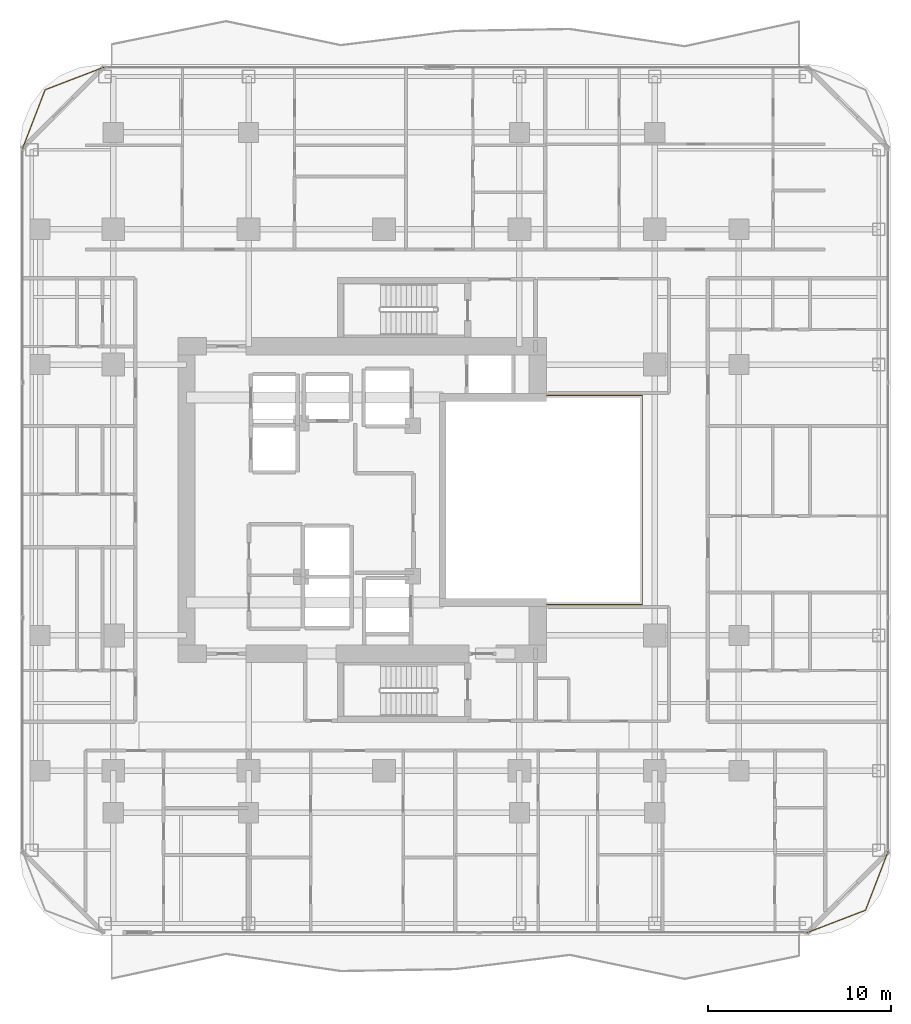
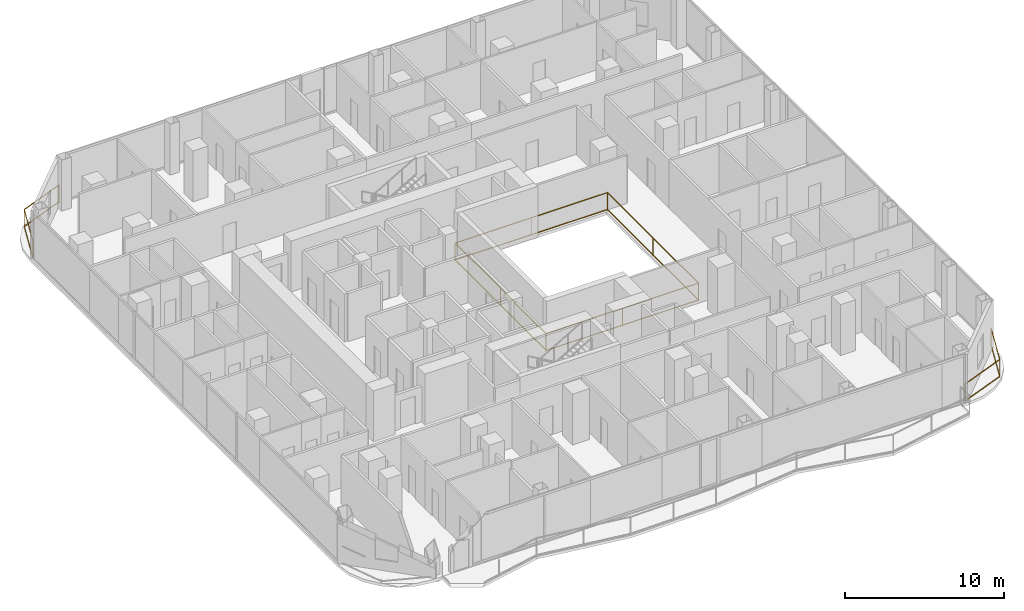
# One storey, part 28 of 29: 3 railings.
"""IFC4 building model written with IfcOpenShell, lengths in metres."""

import ifcopenshell
import ifcopenshell.guid

model = None  # the IFC model being written
_history = None  # IfcOwnerHistory: only IFC2X3 demands one
_inside = {}  # id of a spatial element -> (the spatial element, [elements in it])
_under = {}  # id of a project, library or spatial element -> (it, [spatial elements below it])
_declared = {}  # id of a project -> (the project, [libraries it declares])
_typed = {}  # id of a type object -> (the type object, [elements of that type])
_made_of = {}  # id of a material, layer set ... -> (it, [elements and type objects made of it])


def new_model(schema):
    """Start an empty IFC model of exactly this schema.

    Asked for "IFC4X3", IfcOpenShell would pick the latest addendum, in which some entities
    have other attributes; the version numbers below select the first issue.
    IFC2X3 requires an IfcOwnerHistory on every rooted entity: one is made here for all.
    """
    global model, _history
    if schema == "IFC4X3":
        model = ifcopenshell.file(schema_version=(4, 3, 0, 0))
    else:
        model = ifcopenshell.file(schema=schema)
    _inside.clear()
    _under.clear()
    _declared.clear()
    _typed.clear()
    _made_of.clear()
    _history = None
    if model.schema == "IFC2X3":
        org = make("IfcOrganization", Name="unknown")
        user = make(
            "IfcPersonAndOrganization",
            ThePerson=make("IfcPerson", FamilyName="unknown"),
            TheOrganization=org,
        )
        app = make(
            "IfcApplication",
            ApplicationDeveloper=org,
            Version="unknown",
            ApplicationFullName="unknown",
            ApplicationIdentifier="unknown",
        )
        _history = make(
            "IfcOwnerHistory",
            OwningUser=user,
            OwningApplication=app,
            ChangeAction="ADDED",
            CreationDate=0,
        )
    return model


def make(cls, **values):
    """One entity of the class cls with the attributes given. An attribute that is None is left unset."""
    return model.create_entity(
        cls, **{name: value for name, value in values.items() if value is not None}
    )


def rooted(cls, **values):
    """An entity with a GlobalId (a new one), such as an element, a storey or a relation."""
    return make(cls, GlobalId=ifcopenshell.guid.new(), OwnerHistory=_history, **values)


def si_unit(unit_type, name, prefix=None):
    """IfcSIUnit, for example si_unit("LENGTHUNIT", "METRE", prefix="MILLI")."""
    return make("IfcSIUnit", UnitType=unit_type, Prefix=prefix, Name=name)


def assignment(units):
    """IfcUnitAssignment: the units of a project."""
    return None if units is None else make("IfcUnitAssignment", Units=units)


def point(xyz):
    """IfcCartesianPoint."""
    return None if xyz is None else make("IfcCartesianPoint", Coordinates=xyz)


def direction(xyz):
    """IfcDirection."""
    return None if xyz is None else make("IfcDirection", DirectionRatios=xyz)


def frame(location, z_axis=None, x_axis=None):
    """IfcAxis2Placement3D, a coordinate frame: its origin and axes. An axis left out is left unset."""
    return make(
        "IfcAxis2Placement3D",
        Location=point(location),
        Axis=direction(z_axis),
        RefDirection=direction(x_axis),
    )


def frame_2d(location, x_axis=None):
    """IfcAxis2Placement2D, a coordinate frame in the plane: its origin and x axis."""
    return make(
        "IfcAxis2Placement2D", Location=point(location), RefDirection=direction(x_axis)
    )


def origin():
    """The frame at (0, 0, 0) with its axes left unset."""
    return frame((0.0, 0.0, 0.0))


def origin_2d():
    """The frame at (0, 0) in the plane with its x axis left unset."""
    return frame_2d((0.0, 0.0))


def place(relative_to, where):
    """IfcLocalPlacement: puts the frame where relative to a parent placement (None: the world)."""
    return make(
        "IfcLocalPlacement", PlacementRelTo=relative_to, RelativePlacement=where
    )


def context(
    kind, dimensions, precision=None, world=None, true_north=None, identifier=None
):
    """IfcGeometricRepresentationContext, for example the 3D "Model" context."""
    return make(
        "IfcGeometricRepresentationContext",
        ContextIdentifier=identifier,
        ContextType=kind,
        CoordinateSpaceDimension=dimensions,
        Precision=precision,
        WorldCoordinateSystem=world,
        TrueNorth=true_north,
    )


def subcontext(parent, identifier, kind, view, scale=None):
    """IfcGeometricRepresentationSubContext, for example "Body" below "Model"."""
    return make(
        "IfcGeometricRepresentationSubContext",
        ContextIdentifier=identifier,
        ContextType=kind,
        ParentContext=parent,
        TargetScale=scale,
        TargetView=view,
    )


def project(units=None, contexts=None):
    """IfcProject with its units and contexts."""
    return rooted(
        "IfcProject",
        Name="project",
        RepresentationContexts=contexts,
        UnitsInContext=assignment(units),
    )


def spatial(cls, under=None, at=None, **own):
    """A site, building, storey or space (cls), placed at a placement, below another one or the project."""
    s = rooted(cls, ObjectPlacement=at, **own)
    if under is not None:
        _under.setdefault(under.id(), (under, []))[1].append(s)
    return s


def profile(cls, at=None, kind="AREA", **sizes):
    """A parametric profile (cls). Its sizes go by their IFC names, for example OverallWidth=200.0."""
    return make(cls, ProfileType=kind, Position=at, **sizes)


def rectangle(**sizes):
    """IfcRectangleProfileDef."""
    return profile("IfcRectangleProfileDef", **sizes)


def extrude(swept, where, along, depth):
    """IfcExtrudedAreaSolid: the profile swept, set in the frame where, extruded along a direction by depth."""
    return make(
        "IfcExtrudedAreaSolid",
        SweptArea=swept,
        Position=where,
        ExtrudedDirection=direction(along),
        Depth=depth,
    )


def shape(context_of_items, identifier, shape_type, items):
    """IfcShapeRepresentation: the items that make up one representation, for example the "Body"."""
    return make(
        "IfcShapeRepresentation",
        ContextOfItems=context_of_items,
        RepresentationIdentifier=identifier,
        RepresentationType=shape_type,
        Items=items,
    )


def material(Name=None, Category=None):
    """IfcMaterial."""
    return make("IfcMaterial", Name=Name, Category=Category)


def made_of(thing, what):
    """Note that an element or type object is made of a material, layer set ...; save() writes the relation."""
    if what is not None:
        _made_of.setdefault(what.id(), (what, []))[1].append(thing)
    return thing


def type_object(cls, material=None, **own):
    """A type object (cls), such as IfcWallType, which elements share."""
    return made_of(rooted(cls, **own), material)


def element(
    cls,
    number,
    at=None,
    inside=None,
    cuts=None,
    type_object=None,
    material=None,
    context=None,
    identifier="Body",
    shape_type=None,
    held_by="IfcProductDefinitionShape",
    body=None,
    shapes=None,
    **own,
):
    """One element of the class cls, such as IfcWall. Its Tag is "e" and its number.

    at: its placement. inside: the storey or other place that contains it. cuts: it is an
    opening in that element (IfcRelVoidsElement). A single representation is given by context,
    identifier, shape_type and body (its items); several are given by shapes. held_by: the class
    of the entity that holds the representations. save() writes the other relations.
    """
    e = rooted(cls, Tag="e%d" % number, ObjectPlacement=at, **own)
    if body is not None:
        shapes = [shape(context, identifier, shape_type, body)]
    if shapes is not None:
        e.Representation = make(held_by, Representations=shapes)
    if inside is not None:
        _inside.setdefault(inside.id(), (inside, []))[1].append(e)
    if cuts is not None:
        rooted(
            "IfcRelVoidsElement", RelatingBuildingElement=cuts, RelatedOpeningElement=e
        )
    if type_object is not None:
        _typed.setdefault(type_object.id(), (type_object, []))[1].append(e)
    return made_of(e, material)


def aggregate(whole, parts):
    """IfcRelAggregates: a whole, such as a stair, and the parts it consists of."""
    return rooted("IfcRelAggregates", RelatingObject=whole, RelatedObjects=parts)


def save(model, path):
    """Write the relations noted so far, then the file.

    IfcRelAggregates (storeys below a building ...), IfcRelContainedInSpatialStructure (elements
    in a storey), IfcRelDefinesByType, IfcRelAssociatesMaterial and IfcRelDeclares: one each for
    every whole, place, type object, material and project.
    """
    for whole, parts in _under.values():
        aggregate(whole, parts)
    for where, things in _inside.values():
        rooted(
            "IfcRelContainedInSpatialStructure",
            RelatedElements=things,
            RelatingStructure=where,
        )
    for kind, things in _typed.values():
        rooted("IfcRelDefinesByType", RelatedObjects=things, RelatingType=kind)
    for what, things in _made_of.values():
        rooted("IfcRelAssociatesMaterial", RelatedObjects=things, RelatingMaterial=what)
    for by, libraries in _declared.values():
        rooted("IfcRelDeclares", RelatingContext=by, RelatedDefinitions=libraries)
    model.write(path)


model = new_model("IFC4")

# Units and contexts
model_context = context("Model", 3, precision=1e-05, world=origin(), true_north=direction((0.0, 1.0)))
body_context = subcontext(model_context, "Body", "Model", "MODEL_VIEW")
ifc_project = project(units=[si_unit("LENGTHUNIT", "METRE"), si_unit("AREAUNIT", "SQUARE_METRE"), si_unit("VOLUMEUNIT", "CUBIC_METRE"), si_unit("PLANEANGLEUNIT", "RADIAN"), si_unit("MASSUNIT", "GRAM", prefix="KILO")], contexts=[model_context])

# Site, building, storey
site_placement = place(None, origin())
site = spatial("IfcSite", under=ifc_project, at=site_placement, CompositionType="ELEMENT")
building_placement = place(site_placement, origin())
building = spatial("IfcBuilding", under=site, at=building_placement, Name="Khorvyn Point Tower", CompositionType="ELEMENT")
storey_placement = place(building_placement, frame((0.0, 0.0, 140.699951171875)))
storey = spatial("IfcBuildingStorey", under=building, at=storey_placement, Name="L35", CompositionType="ELEMENT", Elevation=140.699951171875)

# Railings
ifc_material_1 = material(Name="Stainless steel 1.4401 and laminated glass", Category="steel")
railing_type_1 = type_object("IfcRailingType", Name="Crystal Atrium Smoke-Rated Perimeter Guardrail 1400", PredefinedType="GUARDRAIL", material=ifc_material_1)
railing_1_placement = place(storey_placement, frame((3.080078125, -5.719970703125, 0.0)))
element("IfcRailing", 1, at=railing_1_placement, inside=storey, type_object=railing_type_1, Name="L35 Crystal Atrium Perimeter Guardrail", PredefinedType="GUARDRAIL", context=body_context, shape_type="SweptSolid", body=[
    extrude(rectangle(XDim=0.048095703125, YDim=0.048095703125, at=origin_2d()), frame((0.0, 0.0, 1.3759765625), z_axis=(1.0, 0.0, 0.0), x_axis=(0.0, 1.0, 0.0)), (0.0, 0.0, 1.0), 11.0400390625),
    extrude(rectangle(XDim=0.048095703125, YDim=0.048095703125, at=origin_2d()), frame((0.0, 0.0, 0.080078125), z_axis=(1.0, 0.0, 0.0), x_axis=(0.0, 1.0, 0.0)), (0.0, 0.0, 1.0), 11.0400390625),
    extrude(rectangle(XDim=0.048095703125, YDim=0.048095703125, at=origin_2d()), frame((11.0400390625, 0.0, 1.3759765625), z_axis=(0.0, 1.0, 0.0), x_axis=(-1.0, 0.0, 0.0)), (0.0, 0.0, 1.0), 11.43994140625),
    extrude(rectangle(XDim=0.048095703125, YDim=0.048095703125, at=origin_2d()), frame((11.0400390625, 0.0, 0.080078125), z_axis=(0.0, 1.0, 0.0), x_axis=(-1.0, 0.0, 0.0)), (0.0, 0.0, 1.0), 11.43994140625),
    extrude(rectangle(XDim=0.048095703125, YDim=0.048095703125, at=origin_2d()), frame((11.0400390625, 11.43994140625, 1.3759765625), z_axis=(-1.0, 0.0, 0.0), x_axis=(0.0, -1.0, 0.0)), (0.0, 0.0, 1.0), 11.0400390625),
    extrude(rectangle(XDim=0.048095703125, YDim=0.048095703125, at=origin_2d()), frame((11.0400390625, 11.43994140625, 0.080078125), z_axis=(-1.0, 0.0, 0.0), x_axis=(0.0, -1.0, 0.0)), (0.0, 0.0, 1.0), 11.0400390625),
    extrude(rectangle(XDim=0.048095703125, YDim=0.048095703125, at=origin_2d()), frame((0.0, 11.43994140625, 1.3759765625), z_axis=(0.0, -1.0, 0.0), x_axis=(1.0, 0.0, 0.0)), (0.0, 0.0, 1.0), 11.409912109375),
    extrude(rectangle(XDim=0.048095703125, YDim=0.048095703125, at=origin_2d()), frame((0.0, 11.43994140625, 0.080078125), z_axis=(0.0, -1.0, 0.0), x_axis=(1.0, 0.0, 0.0)), (0.0, 0.0, 1.0), 11.409912109375),
    extrude(rectangle(XDim=0.0419921875, YDim=0.0419921875, at=origin_2d()), origin(), (0.0, 0.0, 1.0), 1.351806640625),
    extrude(rectangle(XDim=0.0419921875, YDim=0.0419921875, at=origin_2d()), frame((5.52001953125, 0.0, 0.0)), (0.0, 0.0, 1.0), 1.351806640625),
    extrude(rectangle(XDim=0.0419921875, YDim=0.0419921875, at=origin_2d()), frame((11.0400390625, 0.0, 0.0)), (0.0, 0.0, 1.0), 1.351806640625),
    extrude(rectangle(XDim=0.0419921875, YDim=0.0419921875, at=origin_2d()), frame((11.0400390625, 5.719970703125, 0.0)), (0.0, 0.0, 1.0), 1.351806640625),
    extrude(rectangle(XDim=0.0419921875, YDim=0.0419921875, at=origin_2d()), frame((11.0400390625, 11.43994140625, 0.0)), (0.0, 0.0, 1.0), 1.351806640625),
    extrude(rectangle(XDim=0.0419921875, YDim=0.0419921875, at=origin_2d()), frame((5.52001953125, 11.43994140625, 0.0)), (0.0, 0.0, 1.0), 1.351806640625),
    extrude(rectangle(XDim=0.0419921875, YDim=0.0419921875, at=origin_2d()), frame((0.0, 11.43994140625, 0.0)), (0.0, 0.0, 1.0), 1.351806640625),
    extrude(rectangle(XDim=0.0419921875, YDim=0.0419921875, at=origin_2d()), frame((0.0, 5.73486328125, 0.0)), (0.0, 0.0, 1.0), 1.351806640625),
    extrude(rectangle(XDim=0.0419921875, YDim=0.0419921875, at=origin_2d()), frame((0.0, 0.030029296875, 0.0)), (0.0, 0.0, 1.0), 1.351806640625),
])
ifc_material_2 = material(Name="Anodised aluminium 6063-T6 and laminated safety glass", Category="aluminium")
railing_type_2 = type_object("IfcRailingType", Name="Laminated Glass and Aluminium Balcony Guardrail 1400", PredefinedType="BALUSTRADE", material=ifc_material_2)
railing_2_placement = place(storey_placement, frame((-15.27587890625, 23.674072265625, 0.0)))
element("IfcRailing", 2, at=railing_2_placement, inside=storey, type_object=railing_type_2, Name="L35 Rounded Corner Edge Guardrail NW", PredefinedType="BALUSTRADE", context=body_context, shape_type="SweptSolid", body=[
    extrude(rectangle(XDim=0.048095703125, YDim=0.048095703125, at=origin_2d()), frame((0.0, 0.0, 1.3759765625), z_axis=(-0.933598390295, -0.358321148746, 0.0), x_axis=(0.358321148746, -0.933598390295, 0.0)), (0.0, 0.0, 1.0), 3.481689453125),
    extrude(rectangle(XDim=0.048095703125, YDim=0.048095703125, at=origin_2d()), frame((0.0, 0.0, 0.080078125), z_axis=(-0.933598390295, -0.358321148746, 0.0), x_axis=(0.358321148746, -0.933598390295, 0.0)), (0.0, 0.0, 1.0), 3.481689453125),
    extrude(rectangle(XDim=0.048095703125, YDim=0.048095703125, at=origin_2d()), frame((-3.25048828125, -1.24755859375, 1.3759765625), z_axis=(-0.358382264808, -0.933574931257, 0.0), x_axis=(0.933574931257, -0.358382264808, 0.0)), (0.0, 0.0, 1.0), 3.481689453125),
    extrude(rectangle(XDim=0.048095703125, YDim=0.048095703125, at=origin_2d()), frame((-3.25048828125, -1.24755859375, 0.080078125), z_axis=(-0.358382264808, -0.933574931257, 0.0), x_axis=(0.933574931257, -0.358382264808, 0.0)), (0.0, 0.0, 1.0), 3.481689453125),
    extrude(rectangle(XDim=0.0419921875, YDim=0.0419921875, at=origin_2d()), origin(), (0.0, 0.0, 1.0), 1.351806640625),
    extrude(rectangle(XDim=0.0419921875, YDim=0.0419921875, at=origin_2d()), frame((-3.25048828125, -1.24755859375, 0.0)), (0.0, 0.0, 1.0), 1.351806640625),
    extrude(rectangle(XDim=0.0419921875, YDim=0.0419921875, at=origin_2d()), frame((-4.498291015625, -4.498046875, 0.0)), (0.0, 0.0, 1.0), 1.351806640625),
])
railing_3_placement = place(storey_placement, frame((23.075927734375, -23.674072265625, 0.0)))
element("IfcRailing", 3, at=railing_3_placement, inside=storey, type_object=railing_type_2, Name="L35 Rounded Corner Edge Guardrail SE", PredefinedType="BALUSTRADE", context=body_context, shape_type="SweptSolid", body=[
    extrude(rectangle(XDim=0.048095703125, YDim=0.048095703125, at=origin_2d()), frame((0.0, 0.0, 1.3759765625), z_axis=(0.933598390295, 0.358321148746, 0.0), x_axis=(-0.358321148746, 0.933598390295, 0.0)), (0.0, 0.0, 1.0), 3.481689453125),
    extrude(rectangle(XDim=0.048095703125, YDim=0.048095703125, at=origin_2d()), frame((0.0, 0.0, 0.080078125), z_axis=(0.933598390295, 0.358321148746, 0.0), x_axis=(-0.358321148746, 0.933598390295, 0.0)), (0.0, 0.0, 1.0), 3.481689453125),
    extrude(rectangle(XDim=0.048095703125, YDim=0.048095703125, at=origin_2d()), frame((3.25048828125, 1.24755859375, 1.3759765625), z_axis=(0.358382264808, 0.933574931257, 0.0), x_axis=(-0.933574931257, 0.358382264808, 0.0)), (0.0, 0.0, 1.0), 3.481689453125),
    extrude(rectangle(XDim=0.048095703125, YDim=0.048095703125, at=origin_2d()), frame((3.25048828125, 1.24755859375, 0.080078125), z_axis=(0.358382264808, 0.933574931257, 0.0), x_axis=(-0.933574931257, 0.358382264808, 0.0)), (0.0, 0.0, 1.0), 3.481689453125),
    extrude(rectangle(XDim=0.0419921875, YDim=0.0419921875, at=origin_2d()), origin(), (0.0, 0.0, 1.0), 1.351806640625),
    extrude(rectangle(XDim=0.0419921875, YDim=0.0419921875, at=origin_2d()), frame((3.25048828125, 1.24755859375, 0.0)), (0.0, 0.0, 1.0), 1.351806640625),
    extrude(rectangle(XDim=0.0419921875, YDim=0.0419921875, at=origin_2d()), frame((4.498291015625, 4.498046875, 0.0)), (0.0, 0.0, 1.0), 1.351806640625),
])

save(model, "model.ifc")
